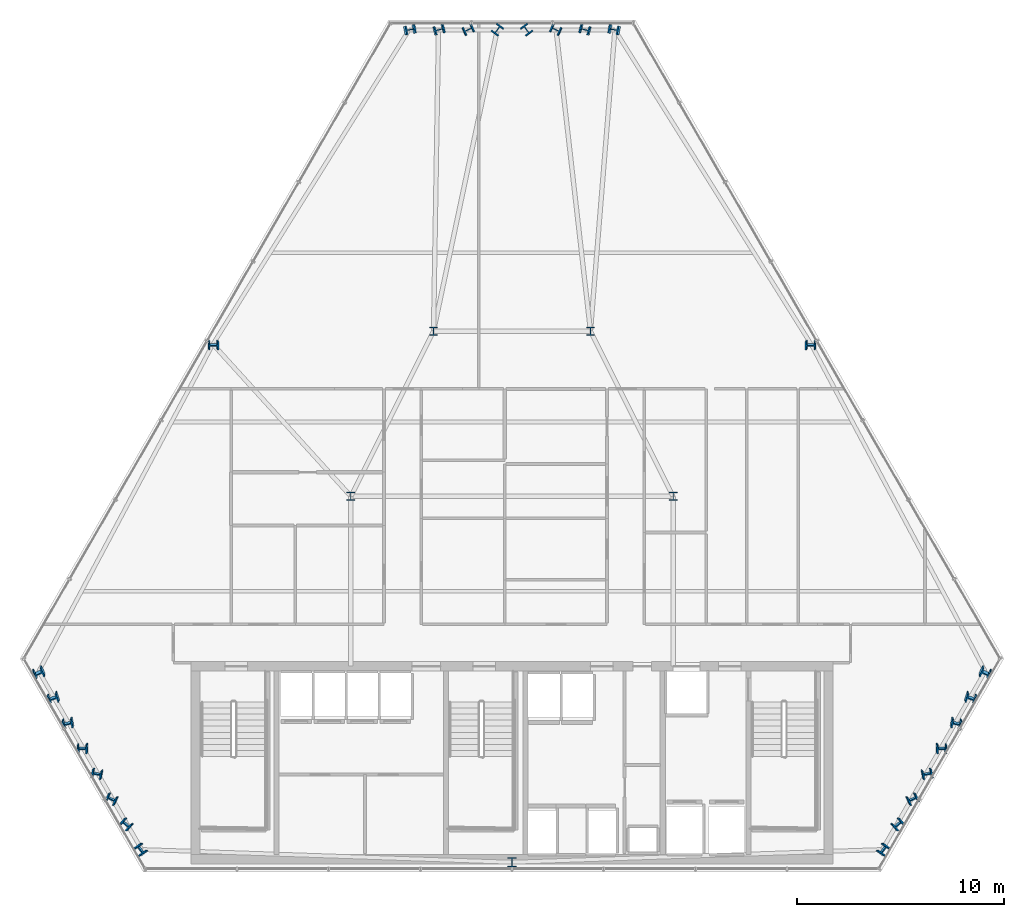
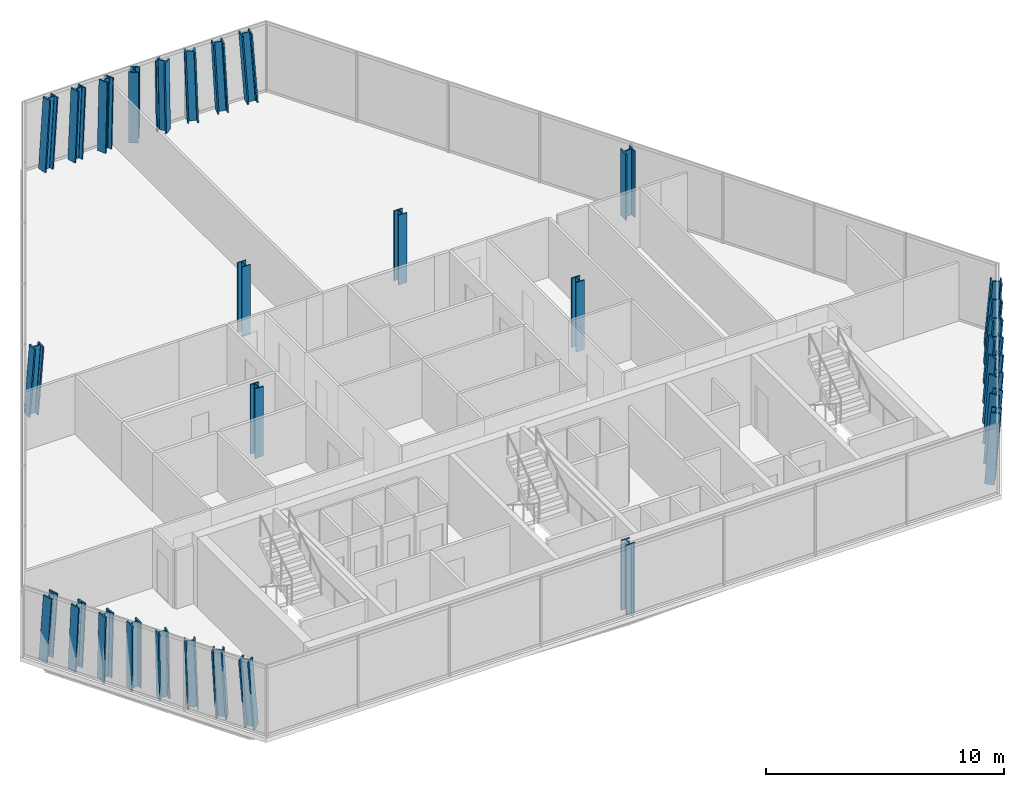
# One storey, part 1 of 31: 31 columns.
"""IFC4 building model written with IfcOpenShell, lengths in metres."""

import ifcopenshell
import ifcopenshell.guid

model = None  # the IFC model being written
_history = None  # IfcOwnerHistory: only IFC2X3 demands one
_inside = {}  # id of a spatial element -> (the spatial element, [elements in it])
_under = {}  # id of a project, library or spatial element -> (it, [spatial elements below it])
_declared = {}  # id of a project -> (the project, [libraries it declares])
_typed = {}  # id of a type object -> (the type object, [elements of that type])
_made_of = {}  # id of a material, layer set ... -> (it, [elements and type objects made of it])


def new_model(schema):
    """Start an empty IFC model of exactly this schema.

    Asked for "IFC4X3", IfcOpenShell would pick the latest addendum, in which some entities
    have other attributes; the version numbers below select the first issue.
    IFC2X3 requires an IfcOwnerHistory on every rooted entity: one is made here for all.
    """
    global model, _history
    if schema == "IFC4X3":
        model = ifcopenshell.file(schema_version=(4, 3, 0, 0))
    else:
        model = ifcopenshell.file(schema=schema)
    _inside.clear()
    _under.clear()
    _declared.clear()
    _typed.clear()
    _made_of.clear()
    _history = None
    if model.schema == "IFC2X3":
        org = make("IfcOrganization", Name="unknown")
        user = make(
            "IfcPersonAndOrganization",
            ThePerson=make("IfcPerson", FamilyName="unknown"),
            TheOrganization=org,
        )
        app = make(
            "IfcApplication",
            ApplicationDeveloper=org,
            Version="unknown",
            ApplicationFullName="unknown",
            ApplicationIdentifier="unknown",
        )
        _history = make(
            "IfcOwnerHistory",
            OwningUser=user,
            OwningApplication=app,
            ChangeAction="ADDED",
            CreationDate=0,
        )
    return model


def make(cls, **values):
    """One entity of the class cls with the attributes given. An attribute that is None is left unset."""
    return model.create_entity(
        cls, **{name: value for name, value in values.items() if value is not None}
    )


def rooted(cls, **values):
    """An entity with a GlobalId (a new one), such as an element, a storey or a relation."""
    return make(cls, GlobalId=ifcopenshell.guid.new(), OwnerHistory=_history, **values)


def si_unit(unit_type, name, prefix=None):
    """IfcSIUnit, for example si_unit("LENGTHUNIT", "METRE", prefix="MILLI")."""
    return make("IfcSIUnit", UnitType=unit_type, Prefix=prefix, Name=name)


def assignment(units):
    """IfcUnitAssignment: the units of a project."""
    return None if units is None else make("IfcUnitAssignment", Units=units)


def point(xyz):
    """IfcCartesianPoint."""
    return None if xyz is None else make("IfcCartesianPoint", Coordinates=xyz)


def direction(xyz):
    """IfcDirection."""
    return None if xyz is None else make("IfcDirection", DirectionRatios=xyz)


def frame(location, z_axis=None, x_axis=None):
    """IfcAxis2Placement3D, a coordinate frame: its origin and axes. An axis left out is left unset."""
    return make(
        "IfcAxis2Placement3D",
        Location=point(location),
        Axis=direction(z_axis),
        RefDirection=direction(x_axis),
    )


def frame_2d(location, x_axis=None):
    """IfcAxis2Placement2D, a coordinate frame in the plane: its origin and x axis."""
    return make(
        "IfcAxis2Placement2D", Location=point(location), RefDirection=direction(x_axis)
    )


def origin():
    """The frame at (0, 0, 0) with its axes left unset."""
    return frame((0.0, 0.0, 0.0))


def origin_2d():
    """The frame at (0, 0) in the plane with its x axis left unset."""
    return frame_2d((0.0, 0.0))


def place(relative_to, where):
    """IfcLocalPlacement: puts the frame where relative to a parent placement (None: the world)."""
    return make(
        "IfcLocalPlacement", PlacementRelTo=relative_to, RelativePlacement=where
    )


def context(
    kind, dimensions, precision=None, world=None, true_north=None, identifier=None
):
    """IfcGeometricRepresentationContext, for example the 3D "Model" context."""
    return make(
        "IfcGeometricRepresentationContext",
        ContextIdentifier=identifier,
        ContextType=kind,
        CoordinateSpaceDimension=dimensions,
        Precision=precision,
        WorldCoordinateSystem=world,
        TrueNorth=true_north,
    )


def subcontext(parent, identifier, kind, view, scale=None):
    """IfcGeometricRepresentationSubContext, for example "Body" below "Model"."""
    return make(
        "IfcGeometricRepresentationSubContext",
        ContextIdentifier=identifier,
        ContextType=kind,
        ParentContext=parent,
        TargetScale=scale,
        TargetView=view,
    )


def project(units=None, contexts=None):
    """IfcProject with its units and contexts."""
    return rooted(
        "IfcProject",
        Name="project",
        RepresentationContexts=contexts,
        UnitsInContext=assignment(units),
    )


def spatial(cls, under=None, at=None, **own):
    """A site, building, storey or space (cls), placed at a placement, below another one or the project."""
    s = rooted(cls, ObjectPlacement=at, **own)
    if under is not None:
        _under.setdefault(under.id(), (under, []))[1].append(s)
    return s


def profile(cls, at=None, kind="AREA", **sizes):
    """A parametric profile (cls). Its sizes go by their IFC names, for example OverallWidth=200.0."""
    return make(cls, ProfileType=kind, Position=at, **sizes)


def i_section(**sizes):
    """IfcIShapeProfileDef."""
    return profile("IfcIShapeProfileDef", **sizes)


def extrude(swept, where, along, depth):
    """IfcExtrudedAreaSolid: the profile swept, set in the frame where, extruded along a direction by depth."""
    return make(
        "IfcExtrudedAreaSolid",
        SweptArea=swept,
        Position=where,
        ExtrudedDirection=direction(along),
        Depth=depth,
    )


def shape(context_of_items, identifier, shape_type, items):
    """IfcShapeRepresentation: the items that make up one representation, for example the "Body"."""
    return make(
        "IfcShapeRepresentation",
        ContextOfItems=context_of_items,
        RepresentationIdentifier=identifier,
        RepresentationType=shape_type,
        Items=items,
    )


def material(Name=None, Category=None):
    """IfcMaterial."""
    return make("IfcMaterial", Name=Name, Category=Category)


def material_profile(
    of_material, cross_section, Name=None, Category=None, Priority=None
):
    """IfcMaterialProfile: a cross section and its material."""
    return make(
        "IfcMaterialProfile",
        Name=Name,
        Material=of_material,
        Profile=cross_section,
        Priority=Priority,
        Category=Category,
    )


def profile_set(profiles, Name=None, composite=None):
    """IfcMaterialProfileSet."""
    return make(
        "IfcMaterialProfileSet",
        Name=Name,
        MaterialProfiles=profiles,
        CompositeProfile=composite,
    )


def made_of(thing, what):
    """Note that an element or type object is made of a material, layer set ...; save() writes the relation."""
    if what is not None:
        _made_of.setdefault(what.id(), (what, []))[1].append(thing)
    return thing


def type_object(cls, material=None, **own):
    """A type object (cls), such as IfcWallType, which elements share."""
    return made_of(rooted(cls, **own), material)


def element(
    cls,
    number,
    at=None,
    inside=None,
    cuts=None,
    type_object=None,
    material=None,
    context=None,
    identifier="Body",
    shape_type=None,
    held_by="IfcProductDefinitionShape",
    body=None,
    shapes=None,
    **own,
):
    """One element of the class cls, such as IfcWall. Its Tag is "e" and its number.

    at: its placement. inside: the storey or other place that contains it. cuts: it is an
    opening in that element (IfcRelVoidsElement). A single representation is given by context,
    identifier, shape_type and body (its items); several are given by shapes. held_by: the class
    of the entity that holds the representations. save() writes the other relations.
    """
    e = rooted(cls, Tag="e%d" % number, ObjectPlacement=at, **own)
    if body is not None:
        shapes = [shape(context, identifier, shape_type, body)]
    if shapes is not None:
        e.Representation = make(held_by, Representations=shapes)
    if inside is not None:
        _inside.setdefault(inside.id(), (inside, []))[1].append(e)
    if cuts is not None:
        rooted(
            "IfcRelVoidsElement", RelatingBuildingElement=cuts, RelatedOpeningElement=e
        )
    if type_object is not None:
        _typed.setdefault(type_object.id(), (type_object, []))[1].append(e)
    return made_of(e, material)


def aggregate(whole, parts):
    """IfcRelAggregates: a whole, such as a stair, and the parts it consists of."""
    return rooted("IfcRelAggregates", RelatingObject=whole, RelatedObjects=parts)


def save(model, path):
    """Write the relations noted so far, then the file.

    IfcRelAggregates (storeys below a building ...), IfcRelContainedInSpatialStructure (elements
    in a storey), IfcRelDefinesByType, IfcRelAssociatesMaterial and IfcRelDeclares: one each for
    every whole, place, type object, material and project.
    """
    for whole, parts in _under.values():
        aggregate(whole, parts)
    for where, things in _inside.values():
        rooted(
            "IfcRelContainedInSpatialStructure",
            RelatedElements=things,
            RelatingStructure=where,
        )
    for kind, things in _typed.values():
        rooted("IfcRelDefinesByType", RelatedObjects=things, RelatingType=kind)
    for what, things in _made_of.values():
        rooted("IfcRelAssociatesMaterial", RelatedObjects=things, RelatingMaterial=what)
    for by, libraries in _declared.values():
        rooted("IfcRelDeclares", RelatingContext=by, RelatedDefinitions=libraries)
    model.write(path)


model = new_model("IFC4")

# Units and contexts
model_context = context("Model", 3, precision=1e-05, world=origin(), true_north=direction((0.0, 1.0)))
body_context = subcontext(model_context, "Body", "Model", "MODEL_VIEW")
ifc_project = project(units=[si_unit("LENGTHUNIT", "METRE"), si_unit("AREAUNIT", "SQUARE_METRE"), si_unit("VOLUMEUNIT", "CUBIC_METRE"), si_unit("PLANEANGLEUNIT", "RADIAN"), si_unit("MASSUNIT", "GRAM", prefix="KILO")], contexts=[model_context])

# Site, building, storey
site_placement = place(None, origin())
site = spatial("IfcSite", under=ifc_project, at=site_placement, CompositionType="ELEMENT")
building_placement = place(site_placement, origin())
building = spatial("IfcBuilding", under=site, at=building_placement, Name="Ndaravel Arena Tower", CompositionType="ELEMENT")
storey_placement = place(building_placement, frame((0.0, 0.0, 146.0)))
storey = spatial("IfcBuildingStorey", under=building, at=storey_placement, Name="L34", CompositionType="ELEMENT", Elevation=146.0)

# Columns
ifc_material_1 = material(Name="Steel S355", Category="steel")
ifc_material_profile_1 = material_profile(ifc_material_1, i_section(OverallWidth=0.406982421875, OverallDepth=0.4189453125, WebThickness=0.030517578125, FlangeThickness=0.04931640625, FilletRadius=0.01513671875, at=origin_2d()), Name="UC 356x406x393")
ifc_profile_set_1 = profile_set([ifc_material_profile_1], Name="Steel S355")
column_type_1 = type_object("IfcColumnType", Name="COL-INT-UC393", PredefinedType="COLUMN", material=ifc_profile_set_1)
for number, where, z_axis, x_axis, name in (
    (1, (34.199951171875, 23.199951171875, 0.0), (0.0, 0.0, 1.0), (1.0, 0.0, 0.0), "L34 Interior Spine Column IC-01"),
    (2, (49.800048828125, 23.199951171875, 0.0), (0.0, 0.0, 1.0), (1.0, 0.0, 0.0), "L34 Interior Spine Column IC-02"),
    (3, (38.199951171875, 31.199951171875, 0.0), (0.0, 0.0, 1.0), (1.0, 0.0, 0.0), "L34 Interior Spine Column IC-03"),
    (4, (45.800048828125, 31.199951171875, 0.0), (0.0, 0.0, 1.0), (1.0, 0.0, 0.0), "L34 Interior Spine Column IC-04"),
):
    element("IfcColumn", number, at=place(storey_placement, frame(where, z_axis=z_axis, x_axis=x_axis)), inside=storey, type_object=column_type_1, Name=name, PredefinedType="COLUMN", context=body_context, shape_type="SweptSolid", body=[
        extrude(i_section(OverallWidth=0.406982421875, OverallDepth=0.4189453125, WebThickness=0.030517578125, FlangeThickness=0.04931640625, FilletRadius=0.01513671875, at=origin_2d()), origin(), (0.0, 0.0, 1.0), 3.580078125),
    ])
ifc_material_2 = material(Name="Steel S355", Category="steel")
ifc_material_profile_2 = material_profile(ifc_material_2, i_section(OverallWidth=0.427978515625, OverallDepth=0.48095703125, WebThickness=0.051025390625, FlangeThickness=0.06494140625, FilletRadius=0.014892578125, at=origin_2d()), Name="HD 400x677")
ifc_profile_set_2 = profile_set([ifc_material_profile_2], Name="Steel S355")
column_type_2 = type_object("IfcColumnType", Name="COL-TUBE-HD677", PredefinedType="COLUMN", material=ifc_profile_set_2)
column_1_placement = place(storey_placement, frame((42.0, 5.47998046875, 0.0), z_axis=(0.0, 0.0, 1.0), x_axis=(1.0, 0.0, 0.0)))
element("IfcColumn", 5, at=column_1_placement, inside=storey, type_object=column_type_2, Name="L34 Framed Tube Column TC-01", PredefinedType="COLUMN", context=body_context, shape_type="SweptSolid", body=[
    extrude(i_section(OverallWidth=0.427978515625, OverallDepth=0.48095703125, WebThickness=0.051025390625, FlangeThickness=0.06494140625, FilletRadius=0.014892578125, at=origin_2d()), origin(), (0.0, 0.0, 1.0), 3.580078125),
])
column_2_placement = place(storey_placement, frame((59.931396484375, 6.096435546875, 0.0), z_axis=(0.082839870593, -0.008698526198, 0.996524907607), x_axis=(-0.806082141971, 0.587390840077, 0.072135853696)))
element("IfcColumn", 6, at=column_2_placement, inside=storey, type_object=column_type_2, Name="L34 Framed Tube Column TC-02", PredefinedType="COLUMN", context=body_context, shape_type="SweptSolid", body=[
    extrude(i_section(OverallWidth=0.427978515625, OverallDepth=0.48095703125, WebThickness=0.051025390625, FlangeThickness=0.06494140625, FilletRadius=0.014892578125, at=origin_2d()), origin(), (0.0, 0.0, 1.0), 3.592529296875),
])
column_3_placement = place(storey_placement, frame((60.643310546875, 7.329345703125, 0.0), z_axis=(0.0728174138, -0.025972224156, 0.99700705505), x_axis=(-0.645278448481, 0.76100790061, 0.066952962108)))
element("IfcColumn", 7, at=column_3_placement, inside=storey, type_object=column_type_2, Name="L34 Framed Tube Column TC-03", PredefinedType="COLUMN", context=body_context, shape_type="SweptSolid", body=[
    extrude(i_section(OverallWidth=0.427978515625, OverallDepth=0.48095703125, WebThickness=0.051025390625, FlangeThickness=0.06494140625, FilletRadius=0.014892578125, at=origin_2d()), origin(), (0.0, 0.0, 1.0), 3.5908203125),
])
column_4_placement = place(storey_placement, frame((61.35498046875, 8.562255859375, 0.0), z_axis=(0.06289544663, -0.043312864328, 0.99707981555), x_axis=(-0.427590176729, 0.901550198102, 0.0661353239)))
element("IfcColumn", 8, at=column_4_placement, inside=storey, type_object=column_type_2, Name="L34 Framed Tube Column TC-04", PredefinedType="COLUMN", context=body_context, shape_type="SweptSolid", body=[
    extrude(i_section(OverallWidth=0.427978515625, OverallDepth=0.48095703125, WebThickness=0.051025390625, FlangeThickness=0.06494140625, FilletRadius=0.014892578125, at=origin_2d()), origin(), (0.0, 0.0, 1.0), 3.590576171875),
])
column_5_placement = place(storey_placement, frame((62.06689453125, 9.795166015625, 0.0), z_axis=(0.05281532937, -0.06063227001, 0.996761891736), x_axis=(-0.189966625572, 0.979317815003, 0.069636903918)))
element("IfcColumn", 9, at=column_5_placement, inside=storey, type_object=column_type_2, Name="L34 Framed Tube Column TC-05", PredefinedType="COLUMN", context=body_context, shape_type="SweptSolid", body=[
    extrude(i_section(OverallWidth=0.427978515625, OverallDepth=0.48095703125, WebThickness=0.051025390625, FlangeThickness=0.06494140625, FilletRadius=0.014892578125, at=origin_2d()), origin(), (0.0, 0.0, 1.0), 3.591796875),
])
column_6_placement = place(storey_placement, frame((62.77880859375, 11.028076171875, 0.0), z_axis=(0.042792297072, -0.077909150383, 0.996041657561), x_axis=(0.022973401155, 0.996768007381, 0.076978973114)))
element("IfcColumn", 10, at=column_6_placement, inside=storey, type_object=column_type_2, Name="L34 Framed Tube Column TC-06", PredefinedType="COLUMN", context=body_context, shape_type="SweptSolid", body=[
    extrude(i_section(OverallWidth=0.427978515625, OverallDepth=0.48095703125, WebThickness=0.051025390625, FlangeThickness=0.06494140625, FilletRadius=0.014892578125, at=origin_2d()), origin(), (0.0, 0.0, 1.0), 3.59423828125),
])
column_7_placement = place(storey_placement, frame((63.490478515625, 12.260986328125, 0.0), z_axis=(0.032770679105, -0.095123172061, 0.99492595942), x_axis=(0.192082129751, 0.977503301261, 0.087130657372)))
element("IfcColumn", 11, at=column_7_placement, inside=storey, type_object=column_type_2, Name="L34 Framed Tube Column TC-07", PredefinedType="COLUMN", context=body_context, shape_type="SweptSolid", body=[
    extrude(i_section(OverallWidth=0.427978515625, OverallDepth=0.48095703125, WebThickness=0.051025390625, FlangeThickness=0.06494140625, FilletRadius=0.014892578125, at=origin_2d()), origin(), (0.0, 0.0, 1.0), 3.598388671875),
])
column_8_placement = place(storey_placement, frame((64.202392578125, 13.493896484375, 0.0), z_axis=(0.022762459803, -0.112254154445, 0.993418781398), x_axis=(0.319053107814, 0.942531575503, 0.099193465383)))
element("IfcColumn", 12, at=column_8_placement, inside=storey, type_object=column_type_2, Name="L34 Framed Tube Column TC-08", PredefinedType="COLUMN", context=body_context, shape_type="SweptSolid", body=[
    extrude(i_section(OverallWidth=0.427978515625, OverallDepth=0.48095703125, WebThickness=0.051025390625, FlangeThickness=0.06494140625, FilletRadius=0.014892578125, at=origin_2d()), origin(), (0.0, 0.0, 1.0), 3.603759765625),
])
column_9_placement = place(storey_placement, frame((64.9140625, 14.726806640625, 0.0), z_axis=(0.012779481275, -0.129282371416, 0.991525467802), x_axis=(0.413106039492, 0.903706514921, 0.112507488752)))
element("IfcColumn", 13, at=column_9_placement, inside=storey, type_object=column_type_2, Name="L34 Framed Tube Column TC-09", PredefinedType="COLUMN", context=body_context, shape_type="SweptSolid", body=[
    extrude(i_section(OverallWidth=0.427978515625, OverallDepth=0.48095703125, WebThickness=0.051025390625, FlangeThickness=0.06494140625, FilletRadius=0.014892578125, at=origin_2d()), origin(), (0.0, 0.0, 1.0), 3.610595703125),
])
for number, where, z_axis, x_axis, name in (
    (14, (56.482421875, 30.564208984375, 0.0), (-0.036116494653, -0.062574717666, 0.997386586797), (-0.001263659041, 0.998039781676, 0.062569939729), "L34 Framed Tube Column TC-10"),
    (15, (46.98291015625, 45.784912109375, 0.0), (-0.070128613732, 0.013603998784, 0.997445190852), (-0.190436380047, -0.981699539143, 0.0), "L34 Framed Tube Column TC-11"),
):
    element("IfcColumn", number, at=place(storey_placement, frame(where, z_axis=z_axis, x_axis=x_axis)), inside=storey, type_object=column_type_2, Name=name, PredefinedType="COLUMN", context=body_context, shape_type="SweptSolid", body=[
        extrude(i_section(OverallWidth=0.427978515625, OverallDepth=0.48095703125, WebThickness=0.051025390625, FlangeThickness=0.06494140625, FilletRadius=0.014892578125, at=origin_2d()), origin(), (0.0, 0.0, 1.0), 3.58935546875),
    ])
column_10_placement = place(storey_placement, frame((45.55908203125, 45.784912109375, 0.0), z_axis=(-0.050123194244, 0.013620433218, 0.99865016357), x_axis=(-0.262229747612, -0.965005471211, 0.0)))
element("IfcColumn", 16, at=column_10_placement, inside=storey, type_object=column_type_2, Name="L34 Framed Tube Column TC-12", PredefinedType="COLUMN", context=body_context, shape_type="SweptSolid", body=[
    extrude(i_section(OverallWidth=0.427978515625, OverallDepth=0.48095703125, WebThickness=0.051025390625, FlangeThickness=0.06494140625, FilletRadius=0.014892578125, at=origin_2d()), origin(), (0.0, 0.0, 1.0), 3.5849609375),
])
column_11_placement = place(storey_placement, frame((44.135498046875, 45.784912109375, 0.0), z_axis=(-0.030125361641, 0.013631385358, 0.999453174451), x_axis=(-0.412249348078, -0.911071059253, 0.0)))
element("IfcColumn", 17, at=column_11_placement, inside=storey, type_object=column_type_2, Name="L34 Framed Tube Column TC-13", PredefinedType="COLUMN", context=body_context, shape_type="SweptSolid", body=[
    extrude(i_section(OverallWidth=0.427978515625, OverallDepth=0.48095703125, WebThickness=0.051025390625, FlangeThickness=0.06494140625, FilletRadius=0.014892578125, at=origin_2d()), origin(), (0.0, 0.0, 1.0), 3.58203125),
])
for number, where, z_axis, x_axis, name in (
    (18, (42.7119140625, 45.784912109375, 0.0), (-0.010091291692, 0.013636880664, 0.999856090304), (-0.803841899203, -0.59484300541, 0.0), "L34 Framed Tube Column TC-14"),
    (19, (41.2880859375, 45.784912109375, 0.0), (0.010091291692, 0.013636880664, 0.999856090304), (-0.803841899203, 0.59484300541, 0.0), "L34 Framed Tube Column TC-15"),
):
    element("IfcColumn", number, at=place(storey_placement, frame(where, z_axis=z_axis, x_axis=x_axis)), inside=storey, type_object=column_type_2, Name=name, PredefinedType="COLUMN", context=body_context, shape_type="SweptSolid", body=[
        extrude(i_section(OverallWidth=0.427978515625, OverallDepth=0.48095703125, WebThickness=0.051025390625, FlangeThickness=0.06494140625, FilletRadius=0.014892578125, at=origin_2d()), origin(), (0.0, 0.0, 1.0), 3.58056640625),
    ])
column_12_placement = place(storey_placement, frame((39.864501953125, 45.784912109375, 0.0), z_axis=(0.030125361641, 0.013631385358, 0.999453174451), x_axis=(-0.412249348078, 0.911071059253, 0.0)))
element("IfcColumn", 20, at=column_12_placement, inside=storey, type_object=column_type_2, Name="L34 Framed Tube Column TC-16", PredefinedType="COLUMN", context=body_context, shape_type="SweptSolid", body=[
    extrude(i_section(OverallWidth=0.427978515625, OverallDepth=0.48095703125, WebThickness=0.051025390625, FlangeThickness=0.06494140625, FilletRadius=0.014892578125, at=origin_2d()), origin(), (0.0, 0.0, 1.0), 3.58203125),
])
column_13_placement = place(storey_placement, frame((38.44091796875, 45.784912109375, 0.0), z_axis=(0.050123194244, 0.013620433218, 0.99865016357), x_axis=(-0.262229747612, 0.965005471211, 0.0)))
element("IfcColumn", 21, at=column_13_placement, inside=storey, type_object=column_type_2, Name="L34 Framed Tube Column TC-17", PredefinedType="COLUMN", context=body_context, shape_type="SweptSolid", body=[
    extrude(i_section(OverallWidth=0.427978515625, OverallDepth=0.48095703125, WebThickness=0.051025390625, FlangeThickness=0.06494140625, FilletRadius=0.014892578125, at=origin_2d()), origin(), (0.0, 0.0, 1.0), 3.5849609375),
])
for number, where, z_axis, x_axis, name in (
    (22, (37.01708984375, 45.784912109375, 0.0), (0.070128613732, 0.013603998784, 0.997445190852), (-0.190436380047, 0.981699539143, 0.0), "L34 Framed Tube Column TC-18"),
    (23, (27.517578125, 30.564208984375, 0.0), (0.036116494653, -0.062574717666, 0.997386586797), (0.001263659041, 0.998039781676, 0.062569939729), "L34 Framed Tube Column TC-19"),
):
    element("IfcColumn", number, at=place(storey_placement, frame(where, z_axis=z_axis, x_axis=x_axis)), inside=storey, type_object=column_type_2, Name=name, PredefinedType="COLUMN", context=body_context, shape_type="SweptSolid", body=[
        extrude(i_section(OverallWidth=0.427978515625, OverallDepth=0.48095703125, WebThickness=0.051025390625, FlangeThickness=0.06494140625, FilletRadius=0.014892578125, at=origin_2d()), origin(), (0.0, 0.0, 1.0), 3.58935546875),
    ])
column_14_placement = place(storey_placement, frame((19.0859375, 14.726806640625, 0.0), z_axis=(-0.012779481275, -0.129282371416, 0.991525467802), x_axis=(-0.413106039492, 0.903706514921, 0.112507488752)))
element("IfcColumn", 24, at=column_14_placement, inside=storey, type_object=column_type_2, Name="L34 Framed Tube Column TC-20", PredefinedType="COLUMN", context=body_context, shape_type="SweptSolid", body=[
    extrude(i_section(OverallWidth=0.427978515625, OverallDepth=0.48095703125, WebThickness=0.051025390625, FlangeThickness=0.06494140625, FilletRadius=0.014892578125, at=origin_2d()), origin(), (0.0, 0.0, 1.0), 3.610595703125),
])
column_15_placement = place(storey_placement, frame((19.797607421875, 13.493896484375, 0.0), z_axis=(-0.022762459803, -0.112254154445, 0.993418781398), x_axis=(-0.319053107814, 0.942531575503, 0.099193465383)))
element("IfcColumn", 25, at=column_15_placement, inside=storey, type_object=column_type_2, Name="L34 Framed Tube Column TC-21", PredefinedType="COLUMN", context=body_context, shape_type="SweptSolid", body=[
    extrude(i_section(OverallWidth=0.427978515625, OverallDepth=0.48095703125, WebThickness=0.051025390625, FlangeThickness=0.06494140625, FilletRadius=0.014892578125, at=origin_2d()), origin(), (0.0, 0.0, 1.0), 3.603759765625),
])
column_16_placement = place(storey_placement, frame((20.509521484375, 12.260986328125, 0.0), z_axis=(-0.032770679105, -0.095123172061, 0.99492595942), x_axis=(-0.192082129751, 0.977503301261, 0.087130657372)))
element("IfcColumn", 26, at=column_16_placement, inside=storey, type_object=column_type_2, Name="L34 Framed Tube Column TC-22", PredefinedType="COLUMN", context=body_context, shape_type="SweptSolid", body=[
    extrude(i_section(OverallWidth=0.427978515625, OverallDepth=0.48095703125, WebThickness=0.051025390625, FlangeThickness=0.06494140625, FilletRadius=0.014892578125, at=origin_2d()), origin(), (0.0, 0.0, 1.0), 3.598388671875),
])
column_17_placement = place(storey_placement, frame((21.22119140625, 11.028076171875, 0.0), z_axis=(-0.042792297072, -0.077909150383, 0.996041657561), x_axis=(-0.022973401155, 0.996768007381, 0.076978973114)))
element("IfcColumn", 27, at=column_17_placement, inside=storey, type_object=column_type_2, Name="L34 Framed Tube Column TC-23", PredefinedType="COLUMN", context=body_context, shape_type="SweptSolid", body=[
    extrude(i_section(OverallWidth=0.427978515625, OverallDepth=0.48095703125, WebThickness=0.051025390625, FlangeThickness=0.06494140625, FilletRadius=0.014892578125, at=origin_2d()), origin(), (0.0, 0.0, 1.0), 3.59423828125),
])
column_18_placement = place(storey_placement, frame((21.93310546875, 9.795166015625, 0.0), z_axis=(-0.05281532937, -0.06063227001, 0.996761891736), x_axis=(0.189966625572, 0.979317815003, 0.069636903918)))
element("IfcColumn", 28, at=column_18_placement, inside=storey, type_object=column_type_2, Name="L34 Framed Tube Column TC-24", PredefinedType="COLUMN", context=body_context, shape_type="SweptSolid", body=[
    extrude(i_section(OverallWidth=0.427978515625, OverallDepth=0.48095703125, WebThickness=0.051025390625, FlangeThickness=0.06494140625, FilletRadius=0.014892578125, at=origin_2d()), origin(), (0.0, 0.0, 1.0), 3.591796875),
])
column_19_placement = place(storey_placement, frame((22.64501953125, 8.562255859375, 0.0), z_axis=(-0.06289544663, -0.043312864328, 0.99707981555), x_axis=(0.427590176729, 0.901550198102, 0.0661353239)))
element("IfcColumn", 29, at=column_19_placement, inside=storey, type_object=column_type_2, Name="L34 Framed Tube Column TC-25", PredefinedType="COLUMN", context=body_context, shape_type="SweptSolid", body=[
    extrude(i_section(OverallWidth=0.427978515625, OverallDepth=0.48095703125, WebThickness=0.051025390625, FlangeThickness=0.06494140625, FilletRadius=0.014892578125, at=origin_2d()), origin(), (0.0, 0.0, 1.0), 3.590576171875),
])
column_20_placement = place(storey_placement, frame((23.356689453125, 7.329345703125, 0.0), z_axis=(-0.0728174138, -0.025972224156, 0.99700705505), x_axis=(0.645278448481, 0.76100790061, 0.066952962108)))
element("IfcColumn", 30, at=column_20_placement, inside=storey, type_object=column_type_2, Name="L34 Framed Tube Column TC-26", PredefinedType="COLUMN", context=body_context, shape_type="SweptSolid", body=[
    extrude(i_section(OverallWidth=0.427978515625, OverallDepth=0.48095703125, WebThickness=0.051025390625, FlangeThickness=0.06494140625, FilletRadius=0.014892578125, at=origin_2d()), origin(), (0.0, 0.0, 1.0), 3.5908203125),
])
column_21_placement = place(storey_placement, frame((24.068603515625, 6.096435546875, 0.0), z_axis=(-0.082839870593, -0.008698526198, 0.996524907607), x_axis=(0.806082141971, 0.587390840077, 0.072135853696)))
element("IfcColumn", 31, at=column_21_placement, inside=storey, type_object=column_type_2, Name="L34 Framed Tube Column TC-27", PredefinedType="COLUMN", context=body_context, shape_type="SweptSolid", body=[
    extrude(i_section(OverallWidth=0.427978515625, OverallDepth=0.48095703125, WebThickness=0.051025390625, FlangeThickness=0.06494140625, FilletRadius=0.014892578125, at=origin_2d()), origin(), (0.0, 0.0, 1.0), 3.592529296875),
])

save(model, "model.ifc")
